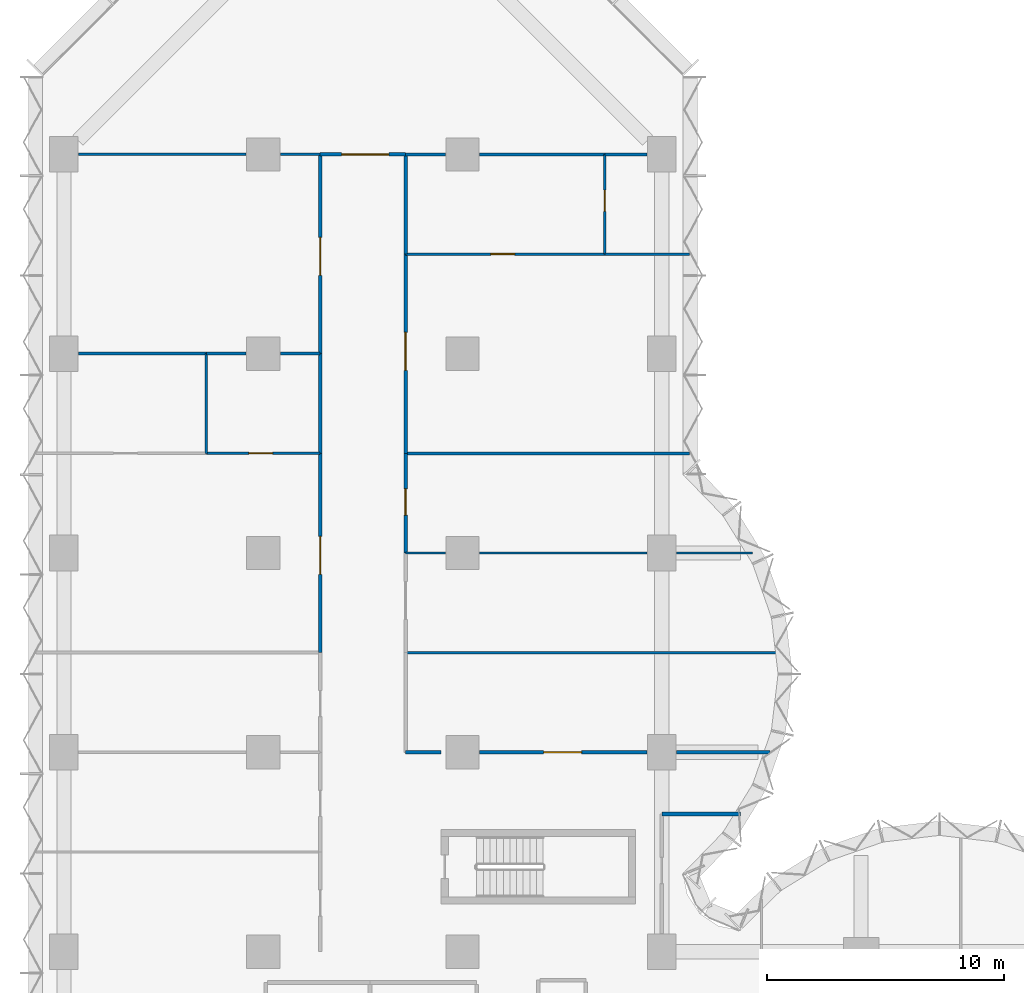
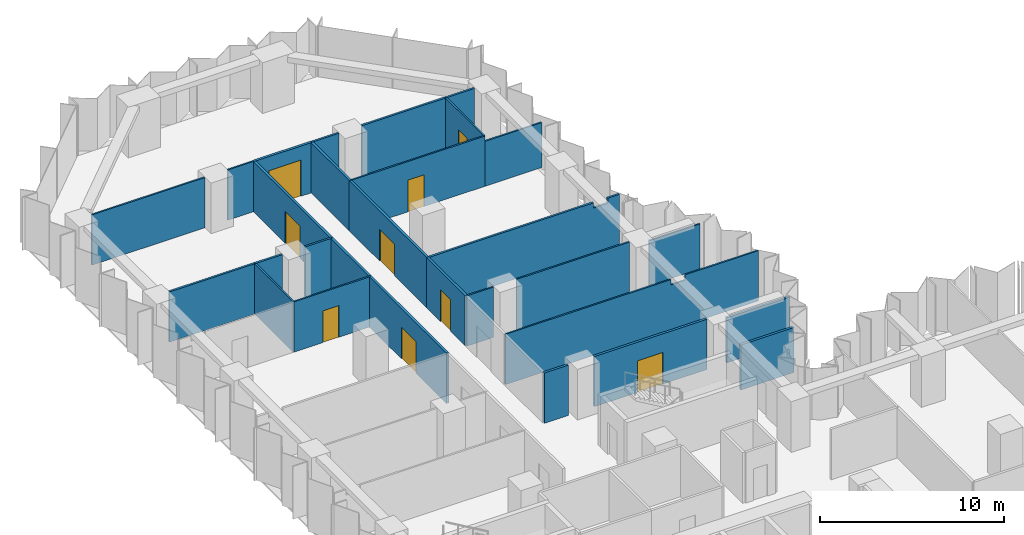
# One storey, part 11 of 15: 29 walls, 9 doors, 9 openings.
"""IFC4 building model written with IfcOpenShell, lengths in metres."""

from ifc_helpers import new_model, si_unit, direction, frame, frame_2d, origin, place, context, subcontext, project, spatial, polyline, rectangle, outline, extrude, material, layer, layer_set, type_object, element, fill, save


model = new_model("IFC4")

# Units and contexts
model_context = context("Model", 3, precision=1e-05, world=origin(), true_north=direction((0.0, 1.0)))
body_context = subcontext(model_context, "Body", "Model", "MODEL_VIEW")
ifc_project = project(units=[si_unit("LENGTHUNIT", "METRE"), si_unit("AREAUNIT", "SQUARE_METRE"), si_unit("VOLUMEUNIT", "CUBIC_METRE"), si_unit("PLANEANGLEUNIT", "RADIAN"), si_unit("MASSUNIT", "GRAM", prefix="KILO")], contexts=[model_context])

# Site, building, storey
site_placement = place(None, origin())
site = spatial("IfcSite", under=ifc_project, at=site_placement, CompositionType="ELEMENT")
building_placement = place(site_placement, origin())
building = spatial("IfcBuilding", under=site, at=building_placement, Name="Brevane Broadcast Tower", CompositionType="ELEMENT")
storey_placement = place(building_placement, frame((0.0, 0.0, 50.89990234375)))
storey = spatial("IfcBuildingStorey", under=building, at=storey_placement, Name="L10", CompositionType="ELEMENT", Elevation=50.89990234375)

# Walls
ifc_material_1 = material(Name="Gypsum board partition")
ifc_layer_1 = layer(ifc_material_1, 0.10009765625)
ifc_layer_set_1 = layer_set([ifc_layer_1], Name="PARTITION 100 STUD")
wall_type_1 = type_object("IfcWallType", Name="PARTITION 100 STUD", PredefinedType="PARTITIONING", material=ifc_layer_set_1)
wall_1_placement = place(storey_placement, frame((10.800048828125, 58.800048828125, 0.0), z_axis=(0.0, 0.0, 1.0), x_axis=(-1.0, 0.0, 0.0)))
element("IfcWall", 1, at=wall_1_placement, inside=storey, type_object=wall_type_1, Name="Partition G02-050", PredefinedType="PARTITIONING", context=body_context, shape_type="SweptSolid", body=[
    extrude(rectangle(XDim=1.679931640625, YDim=0.10009765625, at=frame_2d((0.83984375, 0.0))), origin(), (0.0, 0.0, 1.0), 3.330078125),
])
wall_2_placement = place(storey_placement, frame((7.679931640625, 58.800048828125, 0.0), z_axis=(0.0, 0.0, 1.0), x_axis=(-1.0, 0.0, 0.0)))
element("IfcWall", 2, at=wall_2_placement, inside=storey, type_object=wall_type_1, Name="Partition G02-051", PredefinedType="PARTITIONING", context=body_context, shape_type="SweptSolid", body=[
    extrude(rectangle(XDim=7.059814453125, YDim=0.10009765625, at=frame_2d((3.52978515625, 0.0))), origin(), (0.0, 0.0, 1.0), 3.330078125),
])

# Wall, opening, door
wall_3_placement = place(storey_placement, frame((6.0, 46.199951171875, 0.0), z_axis=(0.0, 0.0, 1.0), x_axis=(1.0, 0.0, 0.0)))
wall_3 = element("IfcWall", 3, at=wall_3_placement, inside=storey, type_object=wall_type_1, Name="Partition G02-060", PredefinedType="PARTITIONING", context=body_context, shape_type="SweptSolid", body=[
    extrude(rectangle(XDim=4.800048828125, YDim=0.10009765625, at=frame_2d((2.39990234375, 0.0))), origin(), (0.0, 0.0, 1.0), 3.330078125),
])
opening_1_placement = place(wall_3_placement, frame((1.800048828125, 0.0, 0.0)))
opening_1 = element("IfcOpeningElement", 4, at=opening_1_placement, cuts=wall_3, Name="Opening D08-021", PredefinedType="OPENING", context=body_context, shape_type="SweptSolid", body=[
    extrude(rectangle(XDim=1.0, YDim=2.10009765625, at=frame_2d((0.5, 1.050048828125))), frame((0.0, 0.06005859375, 0.0), z_axis=(0.0, -1.0, 0.0), x_axis=(1.0, 0.0, 0.0)), (0.0, 0.0, 1.0), 0.1201171875),
])
ifc_material_2 = material(Name="Timber door leaf", Category="wood")
door_type_1 = type_object("IfcDoorType", Name="DOOR SINGLE 1000 INTERNAL", OperationType="SINGLE_SWING_LEFT", PredefinedType="DOOR", material=ifc_material_2)
door_1_placement = place(opening_1_placement, origin())
door_1 = element("IfcDoor", 5, at=door_1_placement, inside=storey, type_object=door_type_1, Name="Door D08-021", OperationType="SINGLE_SWING_LEFT", OverallHeight=2.10009765625, OverallWidth=1.0, PredefinedType="DOOR", context=body_context, shape_type="SweptSolid", body=[
    extrude(rectangle(XDim=1.0, YDim=2.10009765625, at=frame_2d((0.5, 1.050048828125))), frame((0.0, 0.02490234375, 0.0), z_axis=(0.0, -1.0, 0.0), x_axis=(1.0, 0.0, 0.0)), (0.0, 0.0, 1.0), 0.050048828125),
])
fill(opening_1, door_1)

# Walls
wall_4_placement = place(storey_placement, frame((6.0, 50.39990234375, 0.0), z_axis=(0.0, 0.0, 1.0), x_axis=(0.0, -1.0, 0.0)))
element("IfcWall", 6, at=wall_4_placement, inside=storey, type_object=wall_type_1, Name="Partition G02-061", PredefinedType="PARTITIONING", context=body_context, shape_type="SweptSolid", body=[
    extrude(rectangle(XDim=4.199951171875, YDim=0.10009765625, at=frame_2d((2.10009765625, 0.0))), origin(), (0.0, 0.0, 1.0), 3.330078125),
])
wall_5_placement = place(storey_placement, frame((14.39990234375, 37.800048828125, 0.0), z_axis=(0.0, 0.0, 1.0), x_axis=(1.0, 0.0, 0.0)))
element("IfcWall", 7, at=wall_5_placement, inside=storey, type_object=wall_type_1, Name="Partition G02-065", PredefinedType="PARTITIONING", context=body_context, shape_type="SweptSolid", body=[
    extrude(outline(polyline([(0.0, 0.0), (15.8427734375, 0.0), (15.8427734375, 3.330078125), (11.25, 3.330078125), (11.248046875, 2.97998046875), (10.35205078125, 2.97998046875), (10.35009765625, 3.330078125), (0.0, 3.330078125), (0.0, 0.0)])), frame((0.0, 0.050048828125, 0.0), z_axis=(0.0, -1.0, 0.0), x_axis=(1.0, 0.0, 0.0)), (0.0, 0.0, 1.0), 0.10009765625),
])
wall_6_placement = place(storey_placement, frame((14.39990234375, 42.0, 0.0), z_axis=(0.0, 0.0, 1.0), x_axis=(1.0, 0.0, 0.0)))
element("IfcWall", 8, at=wall_6_placement, inside=storey, type_object=wall_type_1, Name="Partition G02-066", PredefinedType="PARTITIONING", context=body_context, shape_type="SweptSolid", body=[
    extrude(rectangle(XDim=1.68017578125, YDim=0.10009765625, at=frame_2d((0.840087890625, 0.0))), origin(), (0.0, 0.0, 1.0), 3.330078125),
])
wall_7_placement = place(storey_placement, frame((17.52001953125, 42.0, 0.0), z_axis=(0.0, 0.0, 1.0), x_axis=(1.0, 0.0, 0.0)))
element("IfcWall", 9, at=wall_7_placement, inside=storey, type_object=wall_type_1, Name="Partition G02-067", PredefinedType="PARTITIONING", context=body_context, shape_type="SweptSolid", body=[
    extrude(rectangle(XDim=7.06005859375, YDim=0.10009765625, at=frame_2d((3.530029296875, 0.0))), origin(), (0.0, 0.0, 1.0), 3.330078125),
])
wall_8_placement = place(storey_placement, frame((25.820068359375, 42.0, 0.0), z_axis=(0.0, 0.0, 1.0), x_axis=(1.0, 0.0, 0.0)))
element("IfcWall", 10, at=wall_8_placement, inside=storey, type_object=wall_type_1, Name="Partition G02-068", PredefinedType="PARTITIONING", context=body_context, shape_type="SweptSolid", body=[
    extrude(rectangle(XDim=3.19140625, YDim=0.10009765625, at=frame_2d((1.595703125, 0.0))), origin(), (0.0, 0.0, 1.0), 2.97998046875),
])

# Wall, opening, door
wall_9_placement = place(storey_placement, frame((14.39990234375, 54.60009765625, 0.0), z_axis=(0.0, 0.0, 1.0), x_axis=(1.0, 0.0, 0.0)))
wall_9 = element("IfcWall", 11, at=wall_9_placement, inside=storey, type_object=wall_type_1, Name="Partition G02-070", PredefinedType="PARTITIONING", context=body_context, shape_type="SweptSolid", body=[
    extrude(rectangle(XDim=8.400146484375, YDim=0.10009765625, at=frame_2d((4.2001953125, 0.0))), origin(), (0.0, 0.0, 1.0), 3.330078125),
])
opening_2_placement = place(wall_9_placement, frame((3.60009765625, 0.0, 0.0)))
opening_2 = element("IfcOpeningElement", 12, at=opening_2_placement, cuts=wall_9, Name="Opening D08-027", PredefinedType="OPENING", context=body_context, shape_type="SweptSolid", body=[
    extrude(rectangle(XDim=1.0, YDim=2.10009765625, at=frame_2d((0.5, 1.050048828125))), frame((0.0, 0.06005859375, 0.0), z_axis=(0.0, -1.0, 0.0), x_axis=(1.0, 0.0, 0.0)), (0.0, 0.0, 1.0), 0.1201171875),
])
door_2_placement = place(opening_2_placement, origin())
door_2 = element("IfcDoor", 13, at=door_2_placement, inside=storey, type_object=door_type_1, Name="Door D08-027", OperationType="SINGLE_SWING_LEFT", OverallHeight=2.10009765625, OverallWidth=1.0, PredefinedType="DOOR", context=body_context, shape_type="SweptSolid", body=[
    extrude(rectangle(XDim=1.0, YDim=2.10009765625, at=frame_2d((0.5, 1.050048828125))), frame((0.0, 0.02490234375, 0.0), z_axis=(0.0, -1.0, 0.0), x_axis=(1.0, 0.0, 0.0)), (0.0, 0.0, 1.0), 0.050048828125),
])
fill(opening_2, door_2)

# Wall
wall_10_placement = place(storey_placement, frame((22.800048828125, 54.60009765625, 0.0), z_axis=(0.0, 0.0, 1.0), x_axis=(1.0, 0.0, 0.0)))
element("IfcWall", 14, at=wall_10_placement, inside=storey, type_object=wall_type_1, Name="Partition G02-071", PredefinedType="PARTITIONING", context=body_context, shape_type="SweptSolid", body=[
    extrude(rectangle(XDim=3.573974609375, YDim=0.10009765625, at=frame_2d((1.787109375, 0.0))), origin(), (0.0, 0.0, 1.0), 2.97998046875),
])

# Wall, opening, door
wall_11_placement = place(storey_placement, frame((22.800048828125, 58.800048828125, 0.0), z_axis=(0.0, 0.0, 1.0), x_axis=(0.0, -1.0, 0.0)))
wall_11 = element("IfcWall", 15, at=wall_11_placement, inside=storey, type_object=wall_type_1, Name="Partition G02-072", PredefinedType="PARTITIONING", context=body_context, shape_type="SweptSolid", body=[
    extrude(rectangle(XDim=4.199951171875, YDim=0.10009765625, at=frame_2d((2.10009765625, 0.0))), origin(), (0.0, 0.0, 1.0), 3.330078125),
])
opening_3_placement = place(wall_11_placement, frame((1.5, 0.0, 0.0)))
opening_3 = element("IfcOpeningElement", 16, at=opening_3_placement, cuts=wall_11, Name="Opening D08-028", PredefinedType="OPENING", context=body_context, shape_type="SweptSolid", body=[
    extrude(rectangle(XDim=0.89990234375, YDim=2.10009765625, at=frame_2d((0.449951171875, 1.050048828125))), frame((0.0, 0.06005859375, 0.0), z_axis=(0.0, -1.0, 0.0), x_axis=(1.0, 0.0, 0.0)), (0.0, 0.0, 1.0), 0.1201171875),
])
door_type_2 = type_object("IfcDoorType", Name="DOOR SINGLE 900 INTERNAL", OperationType="SINGLE_SWING_LEFT", PredefinedType="DOOR", material=ifc_material_2)
door_3_placement = place(opening_3_placement, origin())
door_3 = element("IfcDoor", 17, at=door_3_placement, inside=storey, type_object=door_type_2, Name="Door D08-028", OperationType="SINGLE_SWING_LEFT", OverallHeight=2.10009765625, OverallWidth=0.89990234375, PredefinedType="DOOR", context=body_context, shape_type="SweptSolid", body=[
    extrude(rectangle(XDim=0.89990234375, YDim=2.10009765625, at=frame_2d((0.449951171875, 1.050048828125))), frame((0.0, 0.02490234375, 0.0), z_axis=(0.0, -1.0, 0.0), x_axis=(1.0, 0.0, 0.0)), (0.0, 0.0, 1.0), 0.050048828125),
])
fill(opening_3, door_3)

# Walls
ifc_layer_2 = layer(ifc_material_1, 0.125)
ifc_layer_set_2 = layer_set([ifc_layer_2], Name="PARTITION 125 ACOUSTIC")
wall_type_2 = type_object("IfcWallType", Name="PARTITION 125 ACOUSTIC", PredefinedType="PARTITIONING", material=ifc_layer_set_2)
wall_12_placement = place(storey_placement, frame((22.800048828125, 58.800048828125, 0.0), z_axis=(0.0, 0.0, 1.0), x_axis=(-1.0, 0.0, 0.0)))
element("IfcWall", 18, at=wall_12_placement, inside=storey, type_object=wall_type_2, Name="Partition G02-052", PredefinedType="PARTITIONING", context=body_context, shape_type="SweptSolid", body=[
    extrude(rectangle(XDim=5.280029296875, YDim=0.125, at=frame_2d((2.64013671875, 0.0))), origin(), (0.0, 0.0, 1.0), 3.330078125),
])
wall_13_placement = place(storey_placement, frame((16.080078125, 58.800048828125, 0.0), z_axis=(0.0, 0.0, 1.0), x_axis=(-1.0, 0.0, 0.0)))
element("IfcWall", 19, at=wall_13_placement, inside=storey, type_object=wall_type_2, Name="Partition G02-053", PredefinedType="PARTITIONING", context=body_context, shape_type="SweptSolid", body=[
    extrude(rectangle(XDim=1.68017578125, YDim=0.125, at=frame_2d((0.840087890625, 0.0))), origin(), (0.0, 0.0, 1.0), 3.330078125),
])
wall_14_placement = place(storey_placement, frame((24.580078125, 58.800048828125, 0.0), z_axis=(0.0, 0.0, 1.0), x_axis=(-1.0, 0.0, 0.0)))
element("IfcWall", 20, at=wall_14_placement, inside=storey, type_object=wall_type_2, Name="Partition G02-054", PredefinedType="PARTITIONING", context=body_context, shape_type="SweptSolid", body=[
    extrude(rectangle(XDim=1.780029296875, YDim=0.125, at=frame_2d((0.89013671875, 0.0))), origin(), (0.0, 0.0, 1.0), 3.330078125),
])
wall_15_placement = place(storey_placement, frame((0.6201171875, 50.39990234375, 0.0), z_axis=(0.0, 0.0, 1.0), x_axis=(1.0, 0.0, 0.0)))
element("IfcWall", 21, at=wall_15_placement, inside=storey, type_object=wall_type_2, Name="Partition G02-062", PredefinedType="PARTITIONING", context=body_context, shape_type="SweptSolid", body=[
    extrude(rectangle(XDim=5.3798828125, YDim=0.125, at=frame_2d((2.68994140625, 0.0))), origin(), (0.0, 0.0, 1.0), 3.330078125),
])
for number, where, z_axis, x_axis, name in (
    (22, (6.0, 50.39990234375, 0.0), (0.0, 0.0, 1.0), (1.0, 0.0, 0.0), "Partition G02-063"),
    (23, (9.1201171875, 50.39990234375, 0.0), (0.0, 0.0, 1.0), (1.0, 0.0, 0.0), "Partition G02-064"),
):
    element("IfcWall", number, at=place(storey_placement, frame(where, z_axis=z_axis, x_axis=x_axis)), inside=storey, type_object=wall_type_2, Name=name, PredefinedType="PARTITIONING", context=body_context, shape_type="SweptSolid", body=[
        extrude(rectangle(XDim=1.679931640625, YDim=0.125, at=frame_2d((0.83984375, 0.0))), origin(), (0.0, 0.0, 1.0), 3.330078125),
    ])
wall_16_placement = place(storey_placement, frame((14.39990234375, 46.199951171875, 0.0), z_axis=(0.0, 0.0, 1.0), x_axis=(1.0, 0.0, 0.0)))
element("IfcWall", 24, at=wall_16_placement, inside=storey, type_object=wall_type_2, Name="Partition G02-069", PredefinedType="PARTITIONING", context=body_context, shape_type="SweptSolid", body=[
    extrude(outline(polyline([(0.0, 0.0), (11.97412109375, 0.0), (11.97412109375, 3.330078125), (11.89990234375, 3.330078125), (11.25, 3.330078125), (11.248046875, 2.97998046875), (10.35205078125, 2.97998046875), (10.35009765625, 3.330078125), (0.0, 3.330078125), (0.0, 0.0)])), frame((0.0, 0.0625, 0.0), z_axis=(0.0, -1.0, 0.0), x_axis=(1.0, 0.0, 0.0)), (0.0, 0.0, 1.0), 0.125),
])
ifc_layer_3 = layer(ifc_material_1, 0.14990234375)
ifc_layer_set_3 = layer_set([ifc_layer_3], Name="PARTITION 150 EI 60")
wall_type_3 = type_object("IfcWallType", Name="PARTITION 150 EI 60", PredefinedType="PARTITIONING", material=ifc_layer_set_3)
wall_17_placement = place(storey_placement, frame((25.199951171875, 31.0, 0.0), z_axis=(0.0, 0.0, 1.0), x_axis=(1.0, 0.0, 0.0)))
element("IfcWall", 25, at=wall_17_placement, inside=storey, type_object=wall_type_3, Name="Partition G02-006", PredefinedType="PARTITIONING", context=body_context, shape_type="SweptSolid", body=[
    extrude(rectangle(XDim=3.32421875, YDim=0.14990234375, at=frame_2d((1.662109375, 0.0))), origin(), (0.0, 0.0, 1.0), 2.97998046875),
])
wall_18_placement = place(storey_placement, frame((14.39990234375, 33.60009765625, 0.0), z_axis=(0.0, 0.0, 1.0), x_axis=(1.0, 0.0, 0.0)))
element("IfcWall", 26, at=wall_18_placement, inside=storey, type_object=wall_type_3, Name="Partition G02-037", PredefinedType="PARTITIONING", context=body_context, shape_type="SweptSolid", body=[
    extrude(rectangle(XDim=1.5, YDim=0.14990234375, at=frame_2d((0.75, 0.0))), origin(), (0.0, 0.0, 1.0), 3.330078125),
])

# Wall, opening, door
wall_19_placement = place(storey_placement, frame((17.52001953125, 33.60009765625, 0.0), z_axis=(0.0, 0.0, 1.0), x_axis=(1.0, 0.0, 0.0)))
wall_19 = element("IfcWall", 27, at=wall_19_placement, inside=storey, type_object=wall_type_3, Name="Partition G02-038", PredefinedType="PARTITIONING", context=body_context, shape_type="SweptSolid", body=[
    extrude(rectangle(XDim=7.06005859375, YDim=0.14990234375, at=frame_2d((3.530029296875, 0.0))), origin(), (0.0, 0.0, 1.0), 3.330078125),
])
opening_4_placement = place(wall_19_placement, frame((2.699951171875, 0.0, 0.0)))
opening_4 = element("IfcOpeningElement", 28, at=opening_4_placement, cuts=wall_19, Name="Opening D08-023", PredefinedType="OPENING", context=body_context, shape_type="SweptSolid", body=[
    extrude(rectangle(XDim=1.60009765625, YDim=2.10009765625, at=frame_2d((0.800048828125, 1.050048828125))), frame((0.0, 0.0849609375, 0.0), z_axis=(0.0, -1.0, 0.0), x_axis=(1.0, 0.0, 0.0)), (0.0, 0.0, 1.0), 0.169921875),
])
ifc_material_3 = material(Name="Fire-rated timber door leaf", Category="wood")
door_type_3 = type_object("IfcDoorType", Name="DOOR DOUBLE 1600 FD30S", OperationType="DOUBLE_DOOR_SINGLE_SWING", PredefinedType="DOOR", material=ifc_material_3)
door_4_placement = place(opening_4_placement, origin())
door_4 = element("IfcDoor", 29, at=door_4_placement, inside=storey, type_object=door_type_3, Name="Door D08-023", OperationType="DOUBLE_DOOR_SINGLE_SWING", OverallHeight=2.10009765625, OverallWidth=1.60009765625, PredefinedType="DOOR", context=body_context, shape_type="SweptSolid", body=[
    extrude(rectangle(XDim=1.60009765625, YDim=2.10009765625, at=frame_2d((0.800048828125, 1.050048828125))), frame((0.0, 0.02490234375, 0.0), z_axis=(0.0, -1.0, 0.0), x_axis=(1.0, 0.0, 0.0)), (0.0, 0.0, 1.0), 0.050048828125),
])
fill(opening_4, door_4)

# Wall
wall_20_placement = place(storey_placement, frame((25.820068359375, 33.60009765625, 0.0), z_axis=(0.0, 0.0, 1.0), x_axis=(1.0, 0.0, 0.0)))
element("IfcWall", 30, at=wall_20_placement, inside=storey, type_object=wall_type_3, Name="Partition G02-039", PredefinedType="PARTITIONING", context=body_context, shape_type="SweptSolid", body=[
    extrude(rectangle(XDim=3.94189453125, YDim=0.14990234375, at=frame_2d((1.970947265625, 0.0))), origin(), (0.0, 0.0, 1.0), 2.97998046875),
])

# Wall, opening, door
wall_21_placement = place(storey_placement, frame((10.800048828125, 58.800048828125, 0.0), z_axis=(0.0, 0.0, 1.0), x_axis=(1.0, 0.0, 0.0)))
wall_21 = element("IfcWall", 31, at=wall_21_placement, inside=storey, type_object=wall_type_3, Name="Partition G02-040", PredefinedType="PARTITIONING", context=body_context, shape_type="SweptSolid", body=[
    extrude(rectangle(XDim=3.599853515625, YDim=0.14990234375, at=frame_2d((1.7998046875, 0.0))), origin(), (0.0, 0.0, 1.0), 3.330078125),
])
opening_5_placement = place(wall_21_placement, frame((0.89990234375, 0.0, 0.0)))
opening_5 = element("IfcOpeningElement", 32, at=opening_5_placement, cuts=wall_21, Name="Opening D08-015", PredefinedType="OPENING", context=body_context, shape_type="SweptSolid", body=[
    extrude(rectangle(XDim=2.0, YDim=2.39990234375, at=frame_2d((1.0, 1.199951171875))), frame((0.0, 0.0849609375, 0.0), z_axis=(0.0, -1.0, 0.0), x_axis=(1.0, 0.0, 0.0)), (0.0, 0.0, 1.0), 0.169921875),
])
door_type_4 = type_object("IfcDoorType", Name="DOOR DOUBLE 2000 FD30S", OperationType="DOUBLE_DOOR_SINGLE_SWING", PredefinedType="DOOR", material=ifc_material_3)
door_5_placement = place(opening_5_placement, origin())
door_5 = element("IfcDoor", 33, at=door_5_placement, inside=storey, type_object=door_type_4, Name="Door D08-015", OperationType="DOUBLE_DOOR_SINGLE_SWING", OverallHeight=2.39990234375, OverallWidth=2.0, PredefinedType="DOOR", context=body_context, shape_type="SweptSolid", body=[
    extrude(rectangle(XDim=2.0, YDim=2.39990234375, at=frame_2d((1.0, 1.199951171875))), frame((0.0, 0.02490234375, 0.0), z_axis=(0.0, -1.0, 0.0), x_axis=(1.0, 0.0, 0.0)), (0.0, 0.0, 1.0), 0.050048828125),
])
fill(opening_5, door_5)

wall_22_placement = place(storey_placement, frame((10.800048828125, 37.800048828125, 0.0), z_axis=(0.0, 0.0, 1.0), x_axis=(0.0, 1.0, 0.0)))
wall_22 = element("IfcWall", 34, at=wall_22_placement, inside=storey, type_object=wall_type_3, Name="Partition G02-042", PredefinedType="PARTITIONING", context=body_context, shape_type="SweptSolid", body=[
    extrude(rectangle(XDim=8.39990234375, YDim=0.14990234375, at=frame_2d((4.199951171875, 0.0))), origin(), (0.0, 0.0, 1.0), 3.330078125),
])
opening_6_placement = place(wall_22_placement, frame((3.300048828125, 0.0, 0.0)))
opening_6 = element("IfcOpeningElement", 35, at=opening_6_placement, cuts=wall_22, Name="Opening D08-019", PredefinedType="OPENING", context=body_context, shape_type="SweptSolid", body=[
    extrude(rectangle(XDim=1.60009765625, YDim=2.10009765625, at=frame_2d((0.800048828125, 1.050048828125))), frame((0.0, 0.0849609375, 0.0), z_axis=(0.0, -1.0, 0.0), x_axis=(1.0, 0.0, 0.0)), (0.0, 0.0, 1.0), 0.169921875),
])
door_6_placement = place(opening_6_placement, origin())
door_6 = element("IfcDoor", 36, at=door_6_placement, inside=storey, type_object=door_type_3, Name="Door D08-019", OperationType="DOUBLE_DOOR_SINGLE_SWING", OverallHeight=2.10009765625, OverallWidth=1.60009765625, PredefinedType="DOOR", context=body_context, shape_type="SweptSolid", body=[
    extrude(rectangle(XDim=1.60009765625, YDim=2.10009765625, at=frame_2d((0.800048828125, 1.050048828125))), frame((0.0, 0.02490234375, 0.0), z_axis=(0.0, -1.0, 0.0), x_axis=(1.0, 0.0, 0.0)), (0.0, 0.0, 1.0), 0.050048828125),
])
fill(opening_6, door_6)

# Wall
wall_23_placement = place(storey_placement, frame((10.800048828125, 46.199951171875, 0.0), z_axis=(0.0, 0.0, 1.0), x_axis=(0.0, 1.0, 0.0)))
element("IfcWall", 37, at=wall_23_placement, inside=storey, type_object=wall_type_3, Name="Partition G02-043", PredefinedType="PARTITIONING", context=body_context, shape_type="SweptSolid", body=[
    extrude(rectangle(XDim=4.199951171875, YDim=0.14990234375, at=frame_2d((2.10009765625, 0.0))), origin(), (0.0, 0.0, 1.0), 3.330078125),
])

# Wall, opening, door
wall_24_placement = place(storey_placement, frame((10.800048828125, 50.39990234375, 0.0), z_axis=(0.0, 0.0, 1.0), x_axis=(0.0, 1.0, 0.0)))
wall_24 = element("IfcWall", 38, at=wall_24_placement, inside=storey, type_object=wall_type_3, Name="Partition G02-044", PredefinedType="PARTITIONING", context=body_context, shape_type="SweptSolid", body=[
    extrude(rectangle(XDim=8.400146484375, YDim=0.14990234375, at=frame_2d((4.2001953125, 0.0))), origin(), (0.0, 0.0, 1.0), 3.330078125),
])
opening_7_placement = place(wall_24_placement, frame((3.300048828125, 0.0, 0.0)))
opening_7 = element("IfcOpeningElement", 39, at=opening_7_placement, cuts=wall_24, Name="Opening D08-022", PredefinedType="OPENING", context=body_context, shape_type="SweptSolid", body=[
    extrude(rectangle(XDim=1.60009765625, YDim=2.10009765625, at=frame_2d((0.800048828125, 1.050048828125))), frame((0.0, 0.0849609375, 0.0), z_axis=(0.0, -1.0, 0.0), x_axis=(1.0, 0.0, 0.0)), (0.0, 0.0, 1.0), 0.169921875),
])
door_7_placement = place(opening_7_placement, origin())
door_7 = element("IfcDoor", 40, at=door_7_placement, inside=storey, type_object=door_type_3, Name="Door D08-022", OperationType="DOUBLE_DOOR_SINGLE_SWING", OverallHeight=2.10009765625, OverallWidth=1.60009765625, PredefinedType="DOOR", context=body_context, shape_type="SweptSolid", body=[
    extrude(rectangle(XDim=1.60009765625, YDim=2.10009765625, at=frame_2d((0.800048828125, 1.050048828125))), frame((0.0, 0.02490234375, 0.0), z_axis=(0.0, -1.0, 0.0), x_axis=(1.0, 0.0, 0.0)), (0.0, 0.0, 1.0), 0.050048828125),
])
fill(opening_7, door_7)

wall_25_placement = place(storey_placement, frame((14.39990234375, 46.199951171875, 0.0), z_axis=(0.0, 0.0, 1.0), x_axis=(0.0, -1.0, 0.0)))
wall_25 = element("IfcWall", 41, at=wall_25_placement, inside=storey, type_object=wall_type_3, Name="Partition G02-047", PredefinedType="PARTITIONING", context=body_context, shape_type="SweptSolid", body=[
    extrude(rectangle(XDim=4.199951171875, YDim=0.14990234375, at=frame_2d((2.10009765625, 0.0))), origin(), (0.0, 0.0, 1.0), 3.330078125),
])
opening_8_placement = place(wall_25_placement, frame((1.5, 0.0, 0.0)))
opening_8 = element("IfcOpeningElement", 42, at=opening_8_placement, cuts=wall_25, Name="Opening D08-025", PredefinedType="OPENING", context=body_context, shape_type="SweptSolid", body=[
    extrude(rectangle(XDim=1.10009765625, YDim=2.10009765625, at=frame_2d((0.550048828125, 1.050048828125))), frame((0.0, 0.0849609375, 0.0), z_axis=(0.0, -1.0, 0.0), x_axis=(1.0, 0.0, 0.0)), (0.0, 0.0, 1.0), 0.169921875),
])
door_type_5 = type_object("IfcDoorType", Name="DOOR SINGLE 1100 FD30S", OperationType="SINGLE_SWING_LEFT", PredefinedType="DOOR", material=ifc_material_3)
door_8_placement = place(opening_8_placement, origin())
door_8 = element("IfcDoor", 43, at=door_8_placement, inside=storey, type_object=door_type_5, Name="Door D08-025", OperationType="SINGLE_SWING_LEFT", OverallHeight=2.10009765625, OverallWidth=1.10009765625, PredefinedType="DOOR", context=body_context, shape_type="SweptSolid", body=[
    extrude(rectangle(XDim=1.10009765625, YDim=2.10009765625, at=frame_2d((0.550048828125, 1.050048828125))), frame((0.0, 0.02490234375, 0.0), z_axis=(0.0, -1.0, 0.0), x_axis=(1.0, 0.0, 0.0)), (0.0, 0.0, 1.0), 0.050048828125),
])
fill(opening_8, door_8)

wall_26_placement = place(storey_placement, frame((14.39990234375, 54.60009765625, 0.0), z_axis=(0.0, 0.0, 1.0), x_axis=(0.0, -1.0, 0.0)))
wall_26 = element("IfcWall", 44, at=wall_26_placement, inside=storey, type_object=wall_type_3, Name="Partition G02-048", PredefinedType="PARTITIONING", context=body_context, shape_type="SweptSolid", body=[
    extrude(rectangle(XDim=8.400146484375, YDim=0.14990234375, at=frame_2d((4.2001953125, 0.0))), origin(), (0.0, 0.0, 1.0), 3.330078125),
])
opening_9_placement = place(wall_26_placement, frame((3.300048828125, 0.0, 0.0)))
opening_9 = element("IfcOpeningElement", 45, at=opening_9_placement, cuts=wall_26, Name="Opening D08-026", PredefinedType="OPENING", context=body_context, shape_type="SweptSolid", body=[
    extrude(rectangle(XDim=1.60009765625, YDim=2.10009765625, at=frame_2d((0.800048828125, 1.050048828125))), frame((0.0, 0.0849609375, 0.0), z_axis=(0.0, -1.0, 0.0), x_axis=(1.0, 0.0, 0.0)), (0.0, 0.0, 1.0), 0.169921875),
])
door_9_placement = place(opening_9_placement, origin())
door_9 = element("IfcDoor", 46, at=door_9_placement, inside=storey, type_object=door_type_3, Name="Door D08-026", OperationType="DOUBLE_DOOR_SINGLE_SWING", OverallHeight=2.10009765625, OverallWidth=1.60009765625, PredefinedType="DOOR", context=body_context, shape_type="SweptSolid", body=[
    extrude(rectangle(XDim=1.60009765625, YDim=2.10009765625, at=frame_2d((0.800048828125, 1.050048828125))), frame((0.0, 0.02490234375, 0.0), z_axis=(0.0, -1.0, 0.0), x_axis=(1.0, 0.0, 0.0)), (0.0, 0.0, 1.0), 0.050048828125),
])
fill(opening_9, door_9)

# Wall
wall_27_placement = place(storey_placement, frame((14.39990234375, 58.800048828125, 0.0), z_axis=(0.0, 0.0, 1.0), x_axis=(0.0, -1.0, 0.0)))
element("IfcWall", 47, at=wall_27_placement, inside=storey, type_object=wall_type_3, Name="Partition G02-049", PredefinedType="PARTITIONING", context=body_context, shape_type="SweptSolid", body=[
    extrude(rectangle(XDim=4.199951171875, YDim=0.14990234375, at=frame_2d((2.10009765625, 0.0))), origin(), (0.0, 0.0, 1.0), 3.330078125),
])

save(model, "model.ifc")
